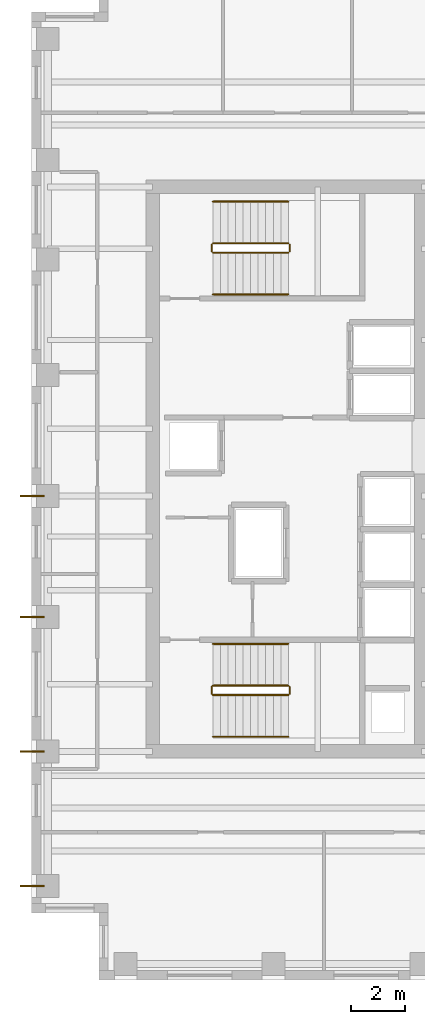
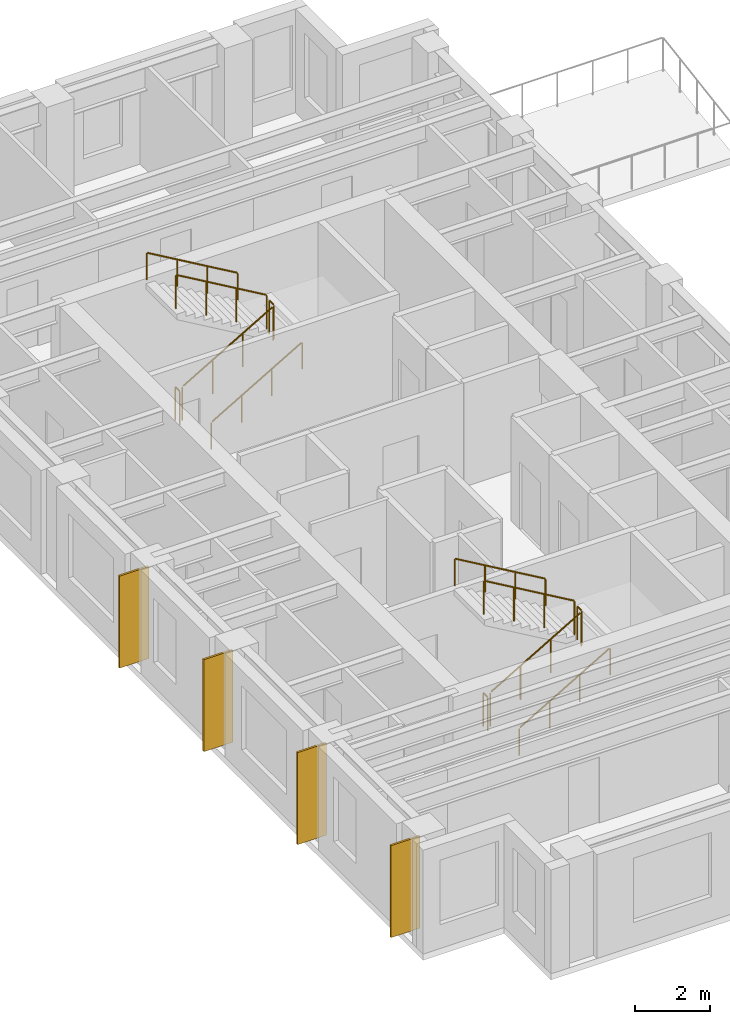
# One storey, part 9 of 10: 12 railings, 4 coverings.
"""IFC4 building model written with IfcOpenShell, lengths in metres."""

from ifc_helpers import new_model, si_unit, direction, frame, origin, origin_2d, place, context, subcontext, project, spatial, rectangle, circle, extrude, source, transform, mapped, material, layer, layer_set, type_object, element, save


model = new_model("IFC4")

# Units and contexts
model_context = context("Model", 3, precision=1e-05, world=origin(), true_north=direction((0.0, 1.0)))
body_context = subcontext(model_context, "Body", "Model", "MODEL_VIEW")
ifc_project = project(units=[si_unit("LENGTHUNIT", "METRE"), si_unit("AREAUNIT", "SQUARE_METRE"), si_unit("VOLUMEUNIT", "CUBIC_METRE"), si_unit("PLANEANGLEUNIT", "RADIAN"), si_unit("MASSUNIT", "GRAM", prefix="KILO")], contexts=[model_context])

# Site, building, storey
site_placement = place(None, origin())
site = spatial("IfcSite", under=ifc_project, at=site_placement, CompositionType="ELEMENT")
building_placement = place(site_placement, origin())
building = spatial("IfcBuilding", under=site, at=building_placement, Name="Kharzan Plaza Tower", CompositionType="ELEMENT")
storey_placement = place(building_placement, frame((0.0, 0.0, 237.60009765625)))
storey = spatial("IfcBuildingStorey", under=building, at=storey_placement, Name="L64", CompositionType="ELEMENT", Elevation=237.60009765625)

# Railings
ifc_material_1 = material(Name="Painted Galvanized Architectural Steel", Category="steel")
ifc_layer_1 = layer(ifc_material_1, 0.074951171875)
ifc_layer_set_1 = layer_set([ifc_layer_1], Name="Painted Galvanized Architectural Steel")
railing_type_1 = type_object("IfcRailingType", Name="RL-GUARD-1120", PredefinedType="BALUSTRADE", material=ifc_layer_set_1)
shared_shape_1 = source(origin(), body_context, "Body", "SweptSolid", [
    extrude(circle(Radius=0.02392578125, at=origin_2d()), frame((0.0, 0.0263671875, 1.09619140625), z_axis=(0.0, 1.0, 0.0), x_axis=(-1.0, 0.0, 0.0)), (0.0, 0.0, 1.0), 0.197021484375),
    extrude(circle(Radius=0.02099609375, at=origin_2d()), origin(), (0.0, 0.0, 1.0), 1.072021484375),
    extrude(circle(Radius=0.02099609375, at=origin_2d()), frame((0.0, 0.25, 0.0)), (0.0, 0.0, 1.0), 1.072021484375),
])
for number, where, name in (
    (1, (9.60009765625, 10.64990234375, 1.7998046875), "L64 ST-1 stair guard 2"),
    (2, (6.699951171875, 10.64990234375, 0.0), "L64 ST-1 stair guard 4"),
    (3, (9.60009765625, 27.10009765625, 1.7998046875), "L64 ST-2 stair guard 2"),
    (4, (6.699951171875, 27.10009765625, 0.0), "L64 ST-2 stair guard 4"),
):
    element("IfcRailing", number, at=place(storey_placement, frame(where)), inside=storey, type_object=railing_type_1, Name=name, PredefinedType="BALUSTRADE", context=body_context, shape_type="MappedRepresentation", body=[
        mapped(shared_shape_1, transform((0.0, 0.0, 0.0), x_axis=(1.0, 0.0, 0.0), y_axis=(0.0, 1.0, 0.0), z_axis=(0.0, 0.0, 1.0))),
    ])

# Coverings
ifc_material_2 = material(Name="Honed Riyadh Limestone", Category="masonry")
ifc_layer_2 = layer(ifc_material_2, 0.06005859375)
ifc_layer_set_2 = layer_set([ifc_layer_2], Name="Honed Riyadh Limestone")
covering_type = type_object("IfcCoveringType", Name="COV-CLAD-STONE", PredefinedType="CLADDING", material=ifc_layer_set_2)
shared_shape_2 = source(origin(), body_context, "Body", "SweptSolid", [
    extrude(rectangle(XDim=0.06005859375, YDim=0.89990234375, at=origin_2d()), origin(), (0.0, 0.0, 1.0), 3.0),
])
for number, where, z_axis, x_axis, name in (
    (5, (0.02001953125, 13.5, 0.099853515625), (0.0, 0.0, 1.0), (0.0, 1.0, 0.0), "L64 Limestone Pier Rainscreen Cladding TCW-135"),
    (6, (0.02001953125, 18.0, 0.099853515625), (0.0, 0.0, 1.0), (0.0, 1.0, 0.0), "L64 Limestone Pier Rainscreen Cladding TCW-180"),
    (7, (0.02001953125, 3.5, 0.099853515625), (0.0, 0.0, 1.0), (0.0, 1.0, 0.0), "L64 Limestone Pier Rainscreen Cladding TCW-35"),
    (8, (0.02001953125, 8.5, 0.099853515625), (0.0, 0.0, 1.0), (0.0, 1.0, 0.0), "L64 Limestone Pier Rainscreen Cladding TCW-85"),
):
    element("IfcCovering", number, at=place(storey_placement, frame(where, z_axis=z_axis, x_axis=x_axis)), inside=storey, type_object=covering_type, Name=name, PredefinedType="CLADDING", context=body_context, shape_type="MappedRepresentation", body=[
        mapped(shared_shape_2, transform((0.0, 0.0, 0.0), x_axis=(1.0, 0.0, 0.0), y_axis=(0.0, 1.0, 0.0), z_axis=(0.0, 0.0, 1.0))),
    ])

# Railings
shared_shape_3 = source(origin(), body_context, "Body", "SweptSolid", [
    extrude(circle(Radius=0.02392578125, at=origin_2d()), frame((0.02294921875, 0.0, 1.109375), z_axis=(0.863393664356, 0.0, 0.504530851732), x_axis=(0.0, 1.0, 0.0)), (0.0, 0.0, 1.0), 3.190185546875),
    extrude(circle(Radius=0.02099609375, at=origin_2d()), origin(), (0.0, 0.0, 1.0), 1.072021484375),
    extrude(circle(Radius=0.02099609375, at=origin_2d()), frame((0.933349609375, 0.0, 0.54541015625)), (0.0, 0.0, 1.0), 1.072021484375),
    extrude(circle(Radius=0.02099609375, at=origin_2d()), frame((1.86669921875, 0.0, 1.0908203125)), (0.0, 0.0, 1.0), 1.072021484375),
    extrude(circle(Radius=0.02099609375, at=origin_2d()), frame((2.800048828125, 0.0, 1.63623046875)), (0.0, 0.0, 1.0), 1.072021484375),
])
for number, where, name in (
    (9, (6.75, 10.60009765625, 0.16357421875), "L64 ST-1 stair guard 1"),
    (10, (6.75, 27.050048828125, 0.16357421875), "L64 ST-2 stair guard 1"),
):
    element("IfcRailing", number, at=place(storey_placement, frame(where)), inside=storey, type_object=railing_type_1, Name=name, PredefinedType="BALUSTRADE", context=body_context, shape_type="MappedRepresentation", body=[
        mapped(shared_shape_3, transform((0.0, 0.0, 0.0), x_axis=(1.0, 0.0, 0.0), y_axis=(0.0, 1.0, 0.0), z_axis=(0.0, 0.0, 1.0))),
    ])
shared_shape_4 = source(origin(), body_context, "Body", "SweptSolid", [
    extrude(circle(Radius=0.02392578125, at=origin_2d()), frame((-0.02294921875, 0.0, 1.109375), z_axis=(-0.863393664356, 0.0, 0.504530851732), x_axis=(0.0, -1.0, 0.0)), (0.0, 0.0, 1.0), 3.190185546875),
    extrude(circle(Radius=0.02099609375, at=origin_2d()), origin(), (0.0, 0.0, 1.0), 1.072021484375),
    extrude(circle(Radius=0.02099609375, at=origin_2d()), frame((-0.933349609375, 0.0, 0.54541015625)), (0.0, 0.0, 1.0), 1.072021484375),
    extrude(circle(Radius=0.02099609375, at=origin_2d()), frame((-1.86669921875, 0.0, 1.0908203125)), (0.0, 0.0, 1.0), 1.072021484375),
    extrude(circle(Radius=0.02099609375, at=origin_2d()), frame((-2.800048828125, 0.0, 1.63623046875)), (0.0, 0.0, 1.0), 1.072021484375),
])
for number, where, name in (
    (11, (9.550048828125, 10.949951171875, 1.963623046875), "L64 ST-1 stair guard 3"),
    (12, (9.550048828125, 27.39990234375, 1.963623046875), "L64 ST-2 stair guard 3"),
):
    element("IfcRailing", number, at=place(storey_placement, frame(where)), inside=storey, type_object=railing_type_1, Name=name, PredefinedType="BALUSTRADE", context=body_context, shape_type="MappedRepresentation", body=[
        mapped(shared_shape_4, transform((0.0, 0.0, 0.0), x_axis=(1.0, 0.0, 0.0), y_axis=(0.0, 1.0, 0.0), z_axis=(0.0, 0.0, 1.0))),
    ])
ifc_material_3 = material(Name="Brushed Stainless Steel", Category="steel")
ifc_layer_3 = layer(ifc_material_3, 0.050048828125)
ifc_layer_set_3 = layer_set([ifc_layer_3], Name="Brushed Stainless Steel")
railing_type_2 = type_object("IfcRailingType", Name="RL-STAIR-HR920", PredefinedType="HANDRAIL", material=ifc_layer_set_3)
shared_shape_5 = source(origin(), body_context, "Body", "SweptSolid", [
    extrude(circle(Radius=0.02392578125, at=origin_2d()), frame((0.02294921875, 0.0, 0.88916015625), z_axis=(0.863393664356, 0.0, 0.504530851732), x_axis=(0.0, 1.0, 0.0)), (0.0, 0.0, 1.0), 3.190185546875),
    extrude(circle(Radius=0.02099609375, at=origin_2d()), origin(), (0.0, 0.0, 1.0), 0.851806640625),
    extrude(circle(Radius=0.02099609375, at=origin_2d()), frame((0.933349609375, 0.0, 0.54541015625)), (0.0, 0.0, 1.0), 0.851806640625),
    extrude(circle(Radius=0.02099609375, at=origin_2d()), frame((1.86669921875, 0.0, 1.0908203125)), (0.0, 0.0, 1.0), 0.851806640625),
    extrude(circle(Radius=0.02099609375, at=origin_2d()), frame((2.800048828125, 0.0, 1.63623046875)), (0.0, 0.0, 1.0), 0.851806640625),
])
for number, where, name in (
    (13, (6.75, 9.050048828125, 0.16357421875), "L64 ST-1 stair handrail 1"),
    (14, (6.75, 25.5, 0.16357421875), "L64 ST-2 stair handrail 1"),
):
    element("IfcRailing", number, at=place(storey_placement, frame(where)), inside=storey, type_object=railing_type_2, Name=name, PredefinedType="HANDRAIL", context=body_context, shape_type="MappedRepresentation", body=[
        mapped(shared_shape_5, transform((0.0, 0.0, 0.0), x_axis=(1.0, 0.0, 0.0), y_axis=(0.0, 1.0, 0.0), z_axis=(0.0, 0.0, 1.0))),
    ])
shared_shape_6 = source(origin(), body_context, "Body", "SweptSolid", [
    extrude(circle(Radius=0.02392578125, at=origin_2d()), frame((-0.02294921875, 0.0, 0.88916015625), z_axis=(-0.863393664356, 0.0, 0.504530851732), x_axis=(0.0, -1.0, 0.0)), (0.0, 0.0, 1.0), 3.190185546875),
    extrude(circle(Radius=0.02099609375, at=origin_2d()), origin(), (0.0, 0.0, 1.0), 0.851806640625),
    extrude(circle(Radius=0.02099609375, at=origin_2d()), frame((-0.933349609375, 0.0, 0.54541015625)), (0.0, 0.0, 1.0), 0.851806640625),
    extrude(circle(Radius=0.02099609375, at=origin_2d()), frame((-1.86669921875, 0.0, 1.0908203125)), (0.0, 0.0, 1.0), 0.851806640625),
    extrude(circle(Radius=0.02099609375, at=origin_2d()), frame((-2.800048828125, 0.0, 1.63623046875)), (0.0, 0.0, 1.0), 0.851806640625),
])
for number, where, name in (
    (15, (9.550048828125, 12.5, 1.963623046875), "L64 ST-1 stair handrail 2"),
    (16, (9.550048828125, 28.949951171875, 1.963623046875), "L64 ST-2 stair handrail 2"),
):
    element("IfcRailing", number, at=place(storey_placement, frame(where)), inside=storey, type_object=railing_type_2, Name=name, PredefinedType="HANDRAIL", context=body_context, shape_type="MappedRepresentation", body=[
        mapped(shared_shape_6, transform((0.0, 0.0, 0.0), x_axis=(1.0, 0.0, 0.0), y_axis=(0.0, 1.0, 0.0), z_axis=(0.0, 0.0, 1.0))),
    ])

save(model, "model.ifc")
